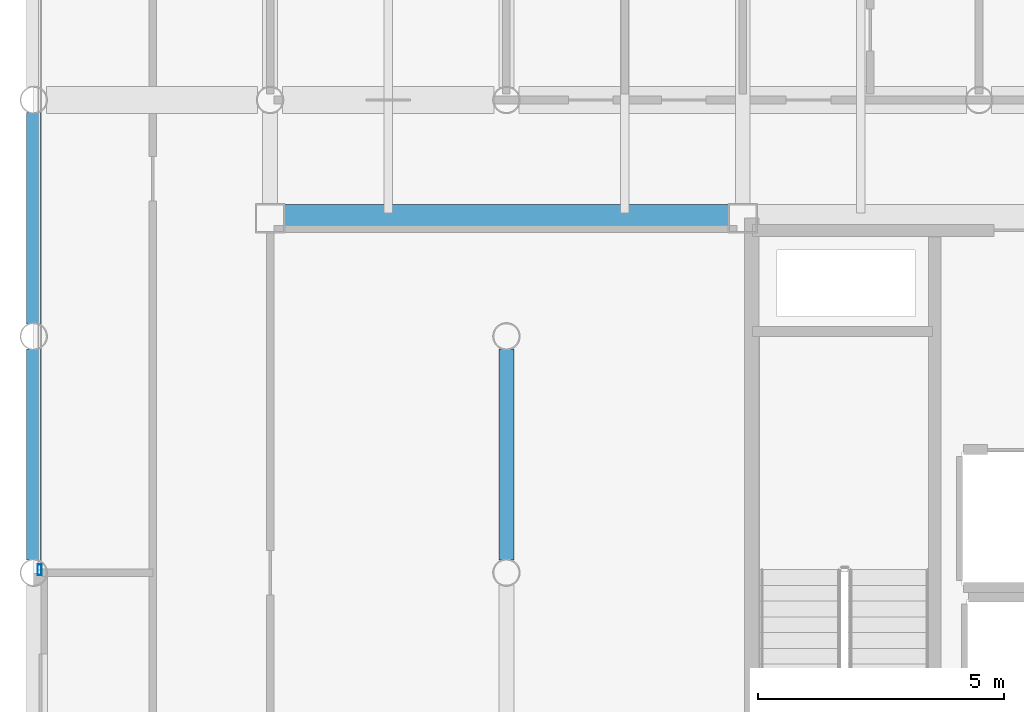
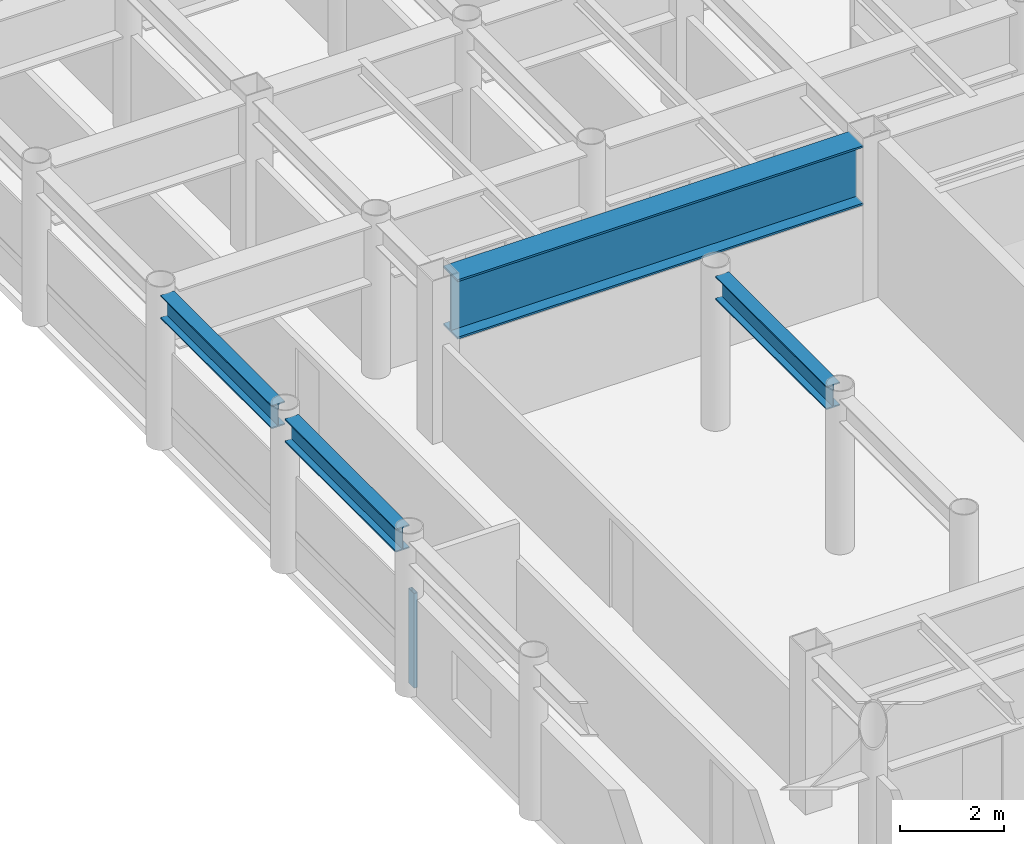
# One storey, part 6 of 26: 4 beams, 1 member, 1 element without a shape of its own.
"""IFC4 building model written with IfcOpenShell, lengths in metres."""

from ifc_helpers import new_model, si_unit, direction, frame, origin, origin_2d, place, context, subcontext, project, spatial, hollow_rectangle, i_section, extrude, material, layer, layer_set, material_profile, profile_set, type_object, element, aggregate, save


model = new_model("IFC4")

# Units and contexts
model_context = context("Model", 3, precision=1e-05, world=origin(), true_north=direction((0.0, 1.0)))
body_context = subcontext(model_context, "Body", "Model", "MODEL_VIEW")
ifc_project = project(units=[si_unit("LENGTHUNIT", "METRE"), si_unit("AREAUNIT", "SQUARE_METRE"), si_unit("VOLUMEUNIT", "CUBIC_METRE"), si_unit("PLANEANGLEUNIT", "RADIAN"), si_unit("MASSUNIT", "GRAM", prefix="KILO")], contexts=[model_context])

# Site, building, storey
site_placement = place(None, origin())
site = spatial("IfcSite", under=ifc_project, at=site_placement, CompositionType="ELEMENT")
building_placement = place(site_placement, origin())
building = spatial("IfcBuilding", under=site, at=building_placement, Name="Kallvorn Hotel Tower", CompositionType="ELEMENT")
storey_placement = place(building_placement, frame((0.0, 0.0, 222.300048828125)))
storey = spatial("IfcBuildingStorey", under=building, at=storey_placement, Name="L55", CompositionType="ELEMENT", Elevation=222.300048828125)

# Beams
ifc_material_1 = material(Name="Structural steel S355JR", Category="steel")
ifc_material_profile_1 = material_profile(ifc_material_1, i_section(OverallWidth=0.300048828125, OverallDepth=0.550048828125, WebThickness=0.014892578125, FlangeThickness=0.029052734375, at=origin_2d()), Name="HE 550 B")
ifc_profile_set_1 = profile_set([ifc_material_profile_1], Name="Structural steel S355JR")
beam_type_1 = type_object("IfcBeamType", Name="BM_HE550B", PredefinedType="SPANDREL", material=ifc_profile_set_1)
for number, where, z_axis, x_axis, name in (
    (1, (-28.800048828125, 0.25439453125, 3.39501953125), (0.0, 1.0, 0.0), (-1.0, 0.0, 0.0), "L56 Primary Y-Girder 77"),
    (2, (-28.800048828125, 5.054443359375, 3.39501953125), (0.0, 1.0, 0.0), (-1.0, 0.0, 0.0), "L56 Primary Y-Girder 78"),
    (3, (-19.199951171875, 0.25439453125, 3.39501953125), (0.0, 1.0, 0.0), (-1.0, 0.0, 0.0), "L56 Primary Y-Girder 92"),
):
    element("IfcBeam", number, at=place(storey_placement, frame(where, z_axis=z_axis, x_axis=x_axis)), inside=storey, type_object=beam_type_1, Name=name, PredefinedType="SPANDREL", context=body_context, shape_type="SweptSolid", body=[
        extrude(i_section(OverallWidth=0.300048828125, OverallDepth=0.550048828125, WebThickness=0.014892578125, FlangeThickness=0.029052734375, at=origin_2d()), origin(), (0.0, 0.0, 1.0), 4.291015625),
    ])
ifc_material_2 = material(Name="Structural steel S355JR", Category="steel")
ifc_material_profile_2 = material_profile(ifc_material_2, i_section(OverallWidth=0.550048828125, OverallDepth=1.39990234375, WebThickness=0.02490234375, FlangeThickness=0.044921875, at=origin_2d()), Name="PG 1400x550x25x45")
ifc_profile_set_2 = profile_set([ifc_material_profile_2], Name="Structural steel S355JR")
beam_type_2 = type_object("IfcBeamType", Name="BM_PG_1400", PredefinedType="BEAM", material=ifc_profile_set_2)
beam_placement = place(storey_placement, frame((-23.72509765625, 7.199951171875, 2.969970703125), z_axis=(1.0, 0.0, 0.0), x_axis=(0.0, 1.0, 0.0)))
element("IfcBeam", 4, at=beam_placement, inside=storey, type_object=beam_type_2, Name="L56 Primary X-Girder 36", PredefinedType="BEAM", context=body_context, shape_type="SweptSolid", body=[
    extrude(i_section(OverallWidth=0.550048828125, OverallDepth=1.39990234375, WebThickness=0.02490234375, FlangeThickness=0.044921875, at=origin_2d()), origin(), (0.0, 0.0, 1.0), 9.050048828125),
])

# Curtain wall, member
ifc_material_3 = material(Name="Thermally broken black-anodised aluminium AA 6063-T6", Category="aluminium")
ifc_layer = layer(ifc_material_3, 0.22998046875)
ifc_layer_set = layer_set([ifc_layer], Name="CW_SYS_5_HOTEL_HIGH")
curtain_wall_type = type_object("IfcCurtainWallType", Name="CW_SYS_5_HOTEL_HIGH", PredefinedType="USERDEFINED", material=ifc_layer_set)
curtain_wall_placement = place(storey_placement, origin())
curtain_wall = element("IfcCurtainWall", 5, at=curtain_wall_placement, inside=storey, type_object=curtain_wall_type, Name="L55 Dark-Glass Curtain Wall CW-L55-WN", ObjectType="UNITISED CURTAIN WALL", PredefinedType="USERDEFINED")
ifc_material_4 = material(Name="Thermally broken black-anodised aluminium AA 6063-T6", Category="aluminium")
ifc_material_profile_3 = material_profile(ifc_material_4, hollow_rectangle(XDim=0.080078125, YDim=0.219970703125, WallThickness=0.0048828125, at=origin_2d()), Name="MUL 220x80")
ifc_profile_set_3 = profile_set([ifc_material_profile_3], Name="Thermally broken black-anodised aluminium AA 6063-T6")
member_type = type_object("IfcMemberType", Name="CW_MULLION_220x80", PredefinedType="MULLION", material=ifc_profile_set_3)
member_placement = place(storey_placement, frame((-28.679931640625, 0.06005859375, 0.02001953125), z_axis=(0.0, 0.0, 1.0), x_axis=(1.0, 0.0, 0.0)))
member = element("IfcMember", 6, at=member_placement, type_object=member_type, Name="CW-L55-WN Mullion 00", PredefinedType="MULLION", context=body_context, shape_type="SweptSolid", body=[
    extrude(hollow_rectangle(XDim=0.080078125, YDim=0.219970703125, WallThickness=0.0048828125, at=origin_2d()), origin(), (0.0, 0.0, 1.0), 2.22998046875),
])
aggregate(curtain_wall, [member])

save(model, "model.ifc")
